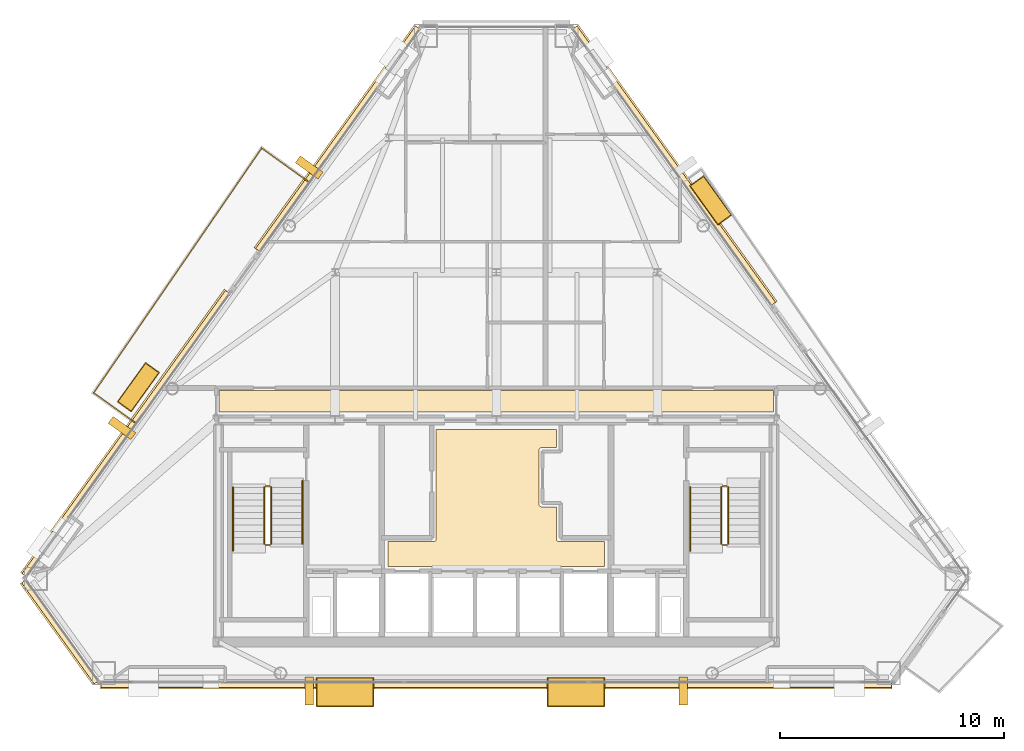
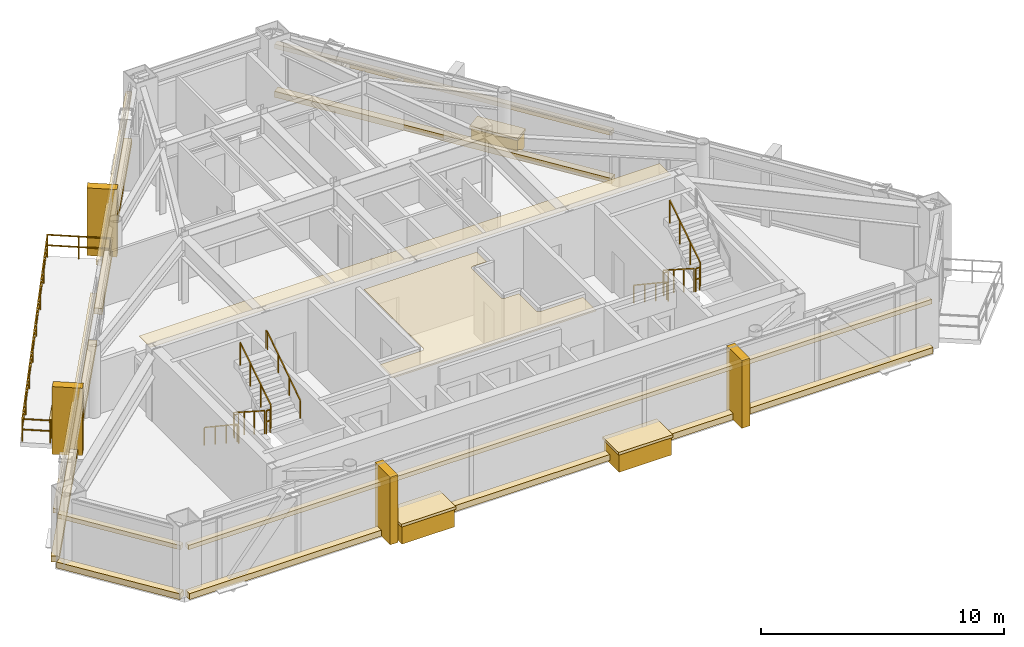
# One storey, part 10 of 11: 24 coverings, 12 railings.
"""IFC4 building model written with IfcOpenShell, lengths in metres."""

from ifc_helpers import new_model, si_unit, direction, frame, origin, origin_2d, place, context, subcontext, project, spatial, polyline, rectangle, outline, extrude, material, layer, layer_set, type_object, element, save


model = new_model("IFC4")

# Units and contexts
model_context = context("Model", 3, precision=1e-05, world=origin(), true_north=direction((0.0, 1.0)))
body_context = subcontext(model_context, "Body", "Model", "MODEL_VIEW")
ifc_project = project(units=[si_unit("LENGTHUNIT", "METRE"), si_unit("AREAUNIT", "SQUARE_METRE"), si_unit("VOLUMEUNIT", "CUBIC_METRE"), si_unit("PLANEANGLEUNIT", "RADIAN"), si_unit("MASSUNIT", "GRAM", prefix="KILO")], contexts=[model_context])

# Site, building, storey
site_placement = place(None, origin())
site = spatial("IfcSite", under=ifc_project, at=site_placement, CompositionType="ELEMENT")
building_placement = place(site_placement, origin())
building = spatial("IfcBuilding", under=site, at=building_placement, Name="Talgorran Terracotta Tower", CompositionType="ELEMENT")
storey_placement = place(building_placement, frame((0.0, 0.0, 207.300048828125)))
storey = spatial("IfcBuildingStorey", under=building, at=storey_placement, Name="L54", CompositionType="ELEMENT", Elevation=207.300048828125)

# Coverings
ifc_material_1 = material(Name="Kiln-Fired Terracotta Ochre Ceramic", Category="masonry")
ifc_layer_1 = layer(ifc_material_1, 0.179931640625, Name="COV_BAGUETTE_TERRACOTTA_SCREEN")
ifc_layer_set_1 = layer_set([ifc_layer_1], Name="Kiln-Fired Terracotta Ochre Ceramic")
covering_type_1 = type_object("IfcCoveringType", Name="COV_BAGUETTE_TERRACOTTA_SCREEN", PredefinedType="CLADDING", material=ifc_layer_set_1)
covering_1_placement = place(storey_placement, frame((-19.459716796875, -13.6416015625, 2.41015625), z_axis=(0.0, 0.0, 1.0), x_axis=(0.583555384799, -0.812073342053, 0.0)))
element("IfcCovering", 1, at=covering_1_placement, inside=storey, type_object=covering_type_1, Name="L54 Terracotta Baguette Solar Screen Assembly F0", PredefinedType="CLADDING", context=body_context, shape_type="SweptSolid", body=[
    extrude(rectangle(XDim=5.557861328125, YDim=0.260009765625, at=origin_2d()), origin(), (0.0, 0.0, 1.0), 0.219970703125),
])
covering_2_placement = place(storey_placement, frame((0.0, -15.99658203125, 2.41015625), z_axis=(0.0, 0.0, 1.0), x_axis=(1.0, 0.0, 0.0)))
element("IfcCovering", 2, at=covering_2_placement, inside=storey, type_object=covering_type_1, Name="L54 Terracotta Baguette Solar Screen Assembly F1", PredefinedType="CLADDING", context=body_context, shape_type="SweptSolid", body=[
    extrude(rectangle(XDim=35.291748046875, YDim=0.260009765625, at=origin_2d()), origin(), (0.0, 0.0, 1.0), 0.219970703125),
])
covering_3_placement = place(storey_placement, frame((7.926513671875, 7.15185546875, 2.41015625), z_axis=(0.0, 0.0, 1.0), x_axis=(-0.583555384799, 0.812073342053, 0.0)))
element("IfcCovering", 3, at=covering_3_placement, inside=storey, type_object=covering_type_1, Name="L54 Terracotta Baguette Solar Screen Assembly F41", PredefinedType="CLADDING", context=body_context, shape_type="SweptSolid", body=[
    extrude(rectangle(XDim=15.187744140625, YDim=0.260009765625, at=origin_2d()), origin(), (0.0, 0.0, 1.0), 0.219970703125),
])
covering_4_placement = place(storey_placement, frame((-7.0654296875, 8.350341796875, 2.41015625), z_axis=(0.0, 0.0, 1.0), x_axis=(-0.583555384799, -0.812073342053, 0.0)))
element("IfcCovering", 4, at=covering_4_placement, inside=storey, type_object=covering_type_1, Name="L54 Terracotta Baguette Solar Screen Assembly F60", PredefinedType="CLADDING", context=body_context, shape_type="SweptSolid", body=[
    extrude(rectangle(XDim=12.236083984375, YDim=0.260009765625, at=origin_2d()), origin(), (0.0, 0.0, 1.0), 0.219970703125),
])
covering_5_placement = place(storey_placement, frame((-16.517822265625, -4.8037109375, 2.41015625), z_axis=(0.0, 0.0, 1.0), x_axis=(-0.583555384799, -0.812073342053, 0.0)))
element("IfcCovering", 5, at=covering_5_placement, inside=storey, type_object=covering_type_1, Name="L54 Terracotta Baguette Solar Screen Assembly F61", PredefinedType="CLADDING", context=body_context, shape_type="SweptSolid", body=[
    extrude(rectangle(XDim=15.560302734375, YDim=0.260009765625, at=origin_2d()), origin(), (0.0, 0.0, 1.0), 0.219970703125),
])
ifc_material_2 = material(Name="Mineral Fibre Acoustic Tile")
ifc_layer_2 = layer(ifc_material_2, 0.02490234375, Name="COV_CEIL_ACOUSTIC")
ifc_layer_set_2 = layer_set([ifc_layer_2], Name="Mineral Fibre Acoustic Tile")
covering_type_2 = type_object("IfcCoveringType", Name="COV_CEIL_ACOUSTIC", PredefinedType="CEILING", material=ifc_layer_set_2)
covering_6_placement = place(storey_placement, frame((0.0, 0.0, 3.2548828125)))
element("IfcCovering", 6, at=covering_6_placement, inside=storey, type_object=covering_type_2, Name="CEIL-L54-2", PredefinedType="CEILING", context=body_context, shape_type="SweptSolid", body=[
    extrude(outline(polyline([(-12.364990234375, -2.885009765625), (12.364990234375, -2.885009765625), (12.364990234375, -3.830078125), (12.169921875, -3.830078125), (12.158203125, -3.83056640625), (12.146484375, -3.832275390625), (12.13525390625, -3.835205078125), (12.1240234375, -3.839111328125), (12.11328125, -3.84423828125), (12.112060546875, -3.844970703125), (7.432861328125, -3.844970703125), (6.968017578125, -3.843017578125), (6.967529296875, -3.843017578125), (0.232666015625, -3.844970703125), (-0.23193359375, -3.843017578125), (-0.232421875, -3.843017578125), (-6.96728515625, -3.844970703125), (-7.431884765625, -3.843017578125), (-7.4326171875, -3.843017578125), (-12.112060546875, -3.844970703125), (-12.11328125, -3.84423828125), (-12.1240234375, -3.839111328125), (-12.13525390625, -3.835205078125), (-12.146484375, -3.832275390625), (-12.158203125, -3.83056640625), (-12.169921875, -3.830078125), (-12.364990234375, -3.830078125), (-12.364990234375, -2.885009765625)])), origin(), (0.0, 0.0, 1.0), 0.02001953125),
])
ifc_material_3 = material(Name="Flush Moisture-Resistant Plaster")
ifc_layer_3 = layer(ifc_material_3, 0.01806640625, Name="COV_CEIL_PLASTER")
ifc_layer_set_3 = layer_set([ifc_layer_3], Name="Flush Moisture-Resistant Plaster")
covering_type_3 = type_object("IfcCoveringType", Name="COV_CEIL_PLASTER", PredefinedType="CEILING", material=ifc_layer_set_3)
covering_7_placement = place(storey_placement, frame((0.0, 0.0, 3.2548828125)))
element("IfcCovering", 7, at=covering_7_placement, inside=storey, type_object=covering_type_3, Name="CEIL-L54-1", PredefinedType="CEILING", context=body_context, shape_type="SweptSolid", body=[
    extrude(outline(polyline([(4.830078125, -9.6201171875), (4.830078125, -10.72998046875), (-4.830078125, -10.72998046875), (-4.830078125, -9.6201171875), (-2.800048828125, -9.6201171875), (-2.7880859375, -9.619384765625), (-2.776611328125, -9.61767578125), (-2.76513671875, -9.61474609375), (-2.754150390625, -9.61083984375), (-2.743408203125, -9.605712890625), (-2.7333984375, -9.599853515625), (-2.723876953125, -9.5927734375), (-2.715087890625, -9.5849609375), (-2.707275390625, -9.576171875), (-2.7001953125, -9.566650390625), (-2.694091796875, -9.556640625), (-2.689208984375, -9.5458984375), (-2.685302734375, -9.534912109375), (-2.682373046875, -9.5234375), (-2.6806640625, -9.51171875), (-2.679931640625, -9.5), (-2.679931640625, -4.6201171875), (2.679931640625, -4.6201171875), (2.679931640625, -5.429931640625), (2.02001953125, -5.429931640625), (2.00830078125, -5.4306640625), (1.99658203125, -5.432373046875), (1.985107421875, -5.435302734375), (1.97412109375, -5.439208984375), (1.96337890625, -5.444091796875), (1.953369140625, -5.4501953125), (1.94384765625, -5.457275390625), (1.93505859375, -5.465087890625), (1.92724609375, -5.473876953125), (1.920166015625, -5.4833984375), (1.914306640625, -5.493408203125), (1.9091796875, -5.504150390625), (1.9052734375, -5.51513671875), (1.90234375, -5.526611328125), (1.900634765625, -5.5380859375), (1.89990234375, -5.550048828125), (1.89990234375, -7.949951171875), (1.900634765625, -7.9619140625), (1.90234375, -7.973388671875), (1.9052734375, -7.98486328125), (1.9091796875, -7.995849609375), (1.914306640625, -8.006591796875), (1.920166015625, -8.0166015625), (1.92724609375, -8.026123046875), (1.93505859375, -8.034912109375), (1.94384765625, -8.042724609375), (1.953369140625, -8.0498046875), (1.96337890625, -8.055908203125), (1.97412109375, -8.060791015625), (1.985107421875, -8.064697265625), (1.99658203125, -8.067626953125), (2.00830078125, -8.0693359375), (2.02001953125, -8.070068359375), (2.679931640625, -8.070068359375), (2.679931640625, -9.5), (2.6806640625, -9.51171875), (2.682373046875, -9.5234375), (2.685302734375, -9.534912109375), (2.689208984375, -9.5458984375), (2.694091796875, -9.556640625), (2.7001953125, -9.566650390625), (2.707275390625, -9.576171875), (2.715087890625, -9.5849609375), (2.723876953125, -9.5927734375), (2.7333984375, -9.599853515625), (2.743408203125, -9.605712890625), (2.754150390625, -9.61083984375), (2.76513671875, -9.61474609375), (2.776611328125, -9.61767578125), (2.7880859375, -9.619384765625), (2.800048828125, -9.6201171875), (4.830078125, -9.6201171875)])), origin(), (0.0, 0.0, 1.0), 0.02001953125),
])
ifc_material_4 = material(Name="Honed Limestone and Terracotta Planter", Category="masonry")
ifc_layer_4 = layer(ifc_material_4, 0.1201171875, Name="COV_PLANTER_BOX")
ifc_layer_set_4 = layer_set([ifc_layer_4], Name="Honed Limestone and Terracotta Planter")
covering_type_4 = type_object("IfcCoveringType", Name="COV_PLANTER_BOX", PredefinedType="CLADDING", material=ifc_layer_set_4)
for number, where, z_axis, x_axis, name in (
    (8, (3.555419921875, -16.336669921875, -0.179931640625), (0.0, 0.0, 1.0), (1.0, 0.0, 0.0), "L54 Staggered South Facade Planter Box 1"),
    (9, (-6.75537109375, -16.336669921875, -0.179931640625), (0.0, 0.0, 1.0), (1.0, 0.0, 0.0), "L54 Staggered South Facade Planter Box 2"),
):
    element("IfcCovering", number, at=place(storey_placement, frame(where, z_axis=z_axis, x_axis=x_axis)), inside=storey, type_object=covering_type_4, Name=name, PredefinedType="CLADDING", context=body_context, shape_type="SweptSolid", body=[
        extrude(rectangle(XDim=2.5, YDim=1.25, at=origin_2d()), origin(), (0.0, 0.0, 1.0), 0.919921875),
    ])
for number, where, z_axis, x_axis, name in (
    (10, (9.572021484375, 5.607421875, -0.02001953125), (0.0, 0.0, 1.0), (-0.583555384799, 0.812073342053, 0.0), "L54 Staggered Balcony Planter Box BAL-NE"),
    (11, (-15.973876953125, -2.7275390625, -0.02001953125), (0.0, 0.0, 1.0), (-0.583555384799, -0.812073342053, 0.0), "L54 Staggered Balcony Planter Box BAL-NW"),
):
    element("IfcCovering", number, at=place(storey_placement, frame(where, z_axis=z_axis, x_axis=x_axis)), inside=storey, type_object=covering_type_4, Name=name, PredefinedType="CLADDING", context=body_context, shape_type="SweptSolid", body=[
        extrude(rectangle(XDim=2.10009765625, YDim=0.719970703125, at=origin_2d()), origin(), (0.0, 0.0, 1.0), 0.860107421875),
    ])
ifc_material_5 = material(Name="Kiln-Fired Terracotta Planter Rim", Category="masonry")
ifc_layer_5 = layer(ifc_material_5, 0.10009765625, Name="COV_PLANTER_RIM")
ifc_layer_set_5 = layer_set([ifc_layer_5], Name="Kiln-Fired Terracotta Planter Rim")
covering_type_5 = type_object("IfcCoveringType", Name="COV_PLANTER_RIM", PredefinedType="CLADDING", material=ifc_layer_set_5)
for number, where, z_axis, x_axis, name in (
    (12, (3.555419921875, -16.336669921875, 0.7099609375), (0.0, 0.0, 1.0), (1.0, 0.0, 0.0), "L54 South Planter Terracotta Rim 1"),
    (13, (-6.75537109375, -16.336669921875, 0.7099609375), (0.0, 0.0, 1.0), (1.0, 0.0, 0.0), "L54 South Planter Terracotta Rim 2"),
):
    element("IfcCovering", number, at=place(storey_placement, frame(where, z_axis=z_axis, x_axis=x_axis)), inside=storey, type_object=covering_type_5, Name=name, PredefinedType="CLADDING", context=body_context, shape_type="SweptSolid", body=[
        extrude(rectangle(XDim=2.580078125, YDim=1.320068359375, at=origin_2d()), origin(), (0.0, 0.0, 1.0), 0.139892578125),
    ])
for number, where, z_axis, x_axis, name in (
    (14, (9.572021484375, 5.607421875, 0.7998046875), (0.0, 0.0, 1.0), (-0.583555384799, 0.812073342053, 0.0), "L54 Balcony Planter Terracotta Rim BAL-NE"),
    (15, (-15.973876953125, -2.7275390625, 0.7998046875), (0.0, 0.0, 1.0), (-0.583555384799, -0.812073342053, 0.0), "L54 Balcony Planter Terracotta Rim BAL-NW"),
):
    element("IfcCovering", number, at=place(storey_placement, frame(where, z_axis=z_axis, x_axis=x_axis)), inside=storey, type_object=covering_type_5, Name=name, PredefinedType="CLADDING", context=body_context, shape_type="SweptSolid", body=[
        extrude(rectangle(XDim=2.179931640625, YDim=0.780029296875, at=origin_2d()), origin(), (0.0, 0.0, 1.0), 0.1201171875),
    ])
ifc_material_6 = material(Name="Honed Limestone Cladding", Category="masonry")
ifc_layer_6 = layer(ifc_material_6, 0.094970703125, Name="COV_PORTAL_LIME")
ifc_layer_set_6 = layer_set([ifc_layer_6], Name="Honed Limestone Cladding")
covering_type_6 = type_object("IfcCoveringType", Name="COV_PORTAL_LIME", PredefinedType="CLADDING", material=ifc_layer_set_6)
covering_8_placement = place(storey_placement, frame((-19.4921875, -13.664794921875, -0.0400390625), z_axis=(0.0, 0.0, 1.0), x_axis=(0.583555384799, -0.812073342053, 0.0)))
element("IfcCovering", 16, at=covering_8_placement, inside=storey, type_object=covering_type_6, Name="L54 Striped Postmodern Portal Cladding Band F0", PredefinedType="CLADDING", context=body_context, shape_type="SweptSolid", body=[
    extrude(rectangle(XDim=5.577880859375, YDim=0.340087890625, at=origin_2d()), origin(), (0.0, 0.0, 1.0), 0.300048828125),
])
covering_9_placement = place(storey_placement, frame((0.0, -16.03662109375, -0.0400390625), z_axis=(0.0, 0.0, 1.0), x_axis=(1.0, 0.0, 0.0)))
element("IfcCovering", 17, at=covering_9_placement, inside=storey, type_object=covering_type_6, Name="L54 Striped Postmodern Portal Cladding Band F1", PredefinedType="CLADDING", context=body_context, shape_type="SweptSolid", body=[
    extrude(rectangle(XDim=35.311767578125, YDim=0.340087890625, at=origin_2d()), origin(), (0.0, 0.0, 1.0), 0.300048828125),
])
covering_10_placement = place(storey_placement, frame((7.958984375, 7.175048828125, -0.0400390625), z_axis=(0.0, 0.0, 1.0), x_axis=(-0.583555384799, 0.812073342053, 0.0)))
element("IfcCovering", 18, at=covering_10_placement, inside=storey, type_object=covering_type_6, Name="L54 Striped Postmodern Portal Cladding Band F41", PredefinedType="CLADDING", context=body_context, shape_type="SweptSolid", body=[
    extrude(rectangle(XDim=15.207763671875, YDim=0.340087890625, at=origin_2d()), origin(), (0.0, 0.0, 1.0), 0.300048828125),
])
covering_11_placement = place(storey_placement, frame((-7.097900390625, 8.373779296875, -0.0400390625), z_axis=(0.0, 0.0, 1.0), x_axis=(-0.583555384799, -0.812073342053, 0.0)))
element("IfcCovering", 19, at=covering_11_placement, inside=storey, type_object=covering_type_6, Name="L54 Striped Postmodern Portal Cladding Band F60", PredefinedType="CLADDING", context=body_context, shape_type="SweptSolid", body=[
    extrude(rectangle(XDim=12.256103515625, YDim=0.340087890625, at=origin_2d()), origin(), (0.0, 0.0, 1.0), 0.300048828125),
])
covering_12_placement = place(storey_placement, frame((-16.55029296875, -4.780517578125, -0.0400390625), z_axis=(0.0, 0.0, 1.0), x_axis=(-0.583555384799, -0.812073342053, 0.0)))
element("IfcCovering", 20, at=covering_12_placement, inside=storey, type_object=covering_type_6, Name="L54 Striped Postmodern Portal Cladding Band F61", PredefinedType="CLADDING", context=body_context, shape_type="SweptSolid", body=[
    extrude(rectangle(XDim=15.580322265625, YDim=0.340087890625, at=origin_2d()), origin(), (0.0, 0.0, 1.0), 0.300048828125),
])
for number, where, z_axis, x_axis, name in (
    (21, (8.35546875, -16.296630859375, -0.050048828125), (0.0, 0.0, 1.0), (1.0, 0.0, 0.0), "L54 White Striped Portal Fin F1-2"),
    (22, (-16.705078125, -4.55029296875, -0.050048828125), (0.0, 0.0, 1.0), (-0.583555384799, -0.812073342053, 0.0), "L54 White Striped Portal Fin F5-2"),
):
    element("IfcCovering", number, at=place(storey_placement, frame(where, z_axis=z_axis, x_axis=x_axis)), inside=storey, type_object=covering_type_6, Name=name, PredefinedType="CLADDING", context=body_context, shape_type="SweptSolid", body=[
        extrude(rectangle(XDim=0.3798828125, YDim=1.25, at=origin_2d()), origin(), (0.0, 0.0, 1.0), 3.39501953125),
    ])
ifc_material_7 = material(Name="Kiln-Fired Terracotta Cladding", Category="masonry")
ifc_layer_7 = layer(ifc_material_7, 0.090087890625, Name="COV_PORTAL_TERRA")
ifc_layer_set_7 = layer_set([ifc_layer_7], Name="Kiln-Fired Terracotta Cladding")
covering_type_7 = type_object("IfcCoveringType", Name="COV_PORTAL_TERRA", PredefinedType="CLADDING", material=ifc_layer_set_7)
for number, where, z_axis, x_axis, name in (
    (23, (-8.35546875, -16.296630859375, -0.050048828125), (0.0, 0.0, 1.0), (1.0, 0.0, 0.0), "L54 Terracotta Striped Portal Fin F1-1"),
    (24, (-8.349609375, 7.0771484375, -0.050048828125), (0.0, 0.0, 1.0), (-0.583555384799, -0.812073342053, 0.0), "L54 Terracotta Striped Portal Fin F5-1"),
):
    element("IfcCovering", number, at=place(storey_placement, frame(where, z_axis=z_axis, x_axis=x_axis)), inside=storey, type_object=covering_type_7, Name=name, PredefinedType="CLADDING", context=body_context, shape_type="SweptSolid", body=[
        extrude(rectangle(XDim=0.3798828125, YDim=1.25, at=origin_2d()), origin(), (0.0, 0.0, 1.0), 3.39501953125),
    ])

# Railings
ifc_material_8 = material(Name="Laminated Glass and Stainless Steel 316", Category="steel")
railing_type_1 = type_object("IfcRailingType", Name="RL_BALCONY_1150", PredefinedType="BALUSTRADE", material=ifc_material_8)
railing_1_placement = place(storey_placement, frame((-8.3544921875, 6.419189453125, 0.0)))
element("IfcRailing", 25, at=railing_1_placement, inside=storey, type_object=railing_type_1, Name="RL-L54-BAL-BAL-NW", PredefinedType="BALUSTRADE", context=body_context, shape_type="SweptSolid", body=[
    extrude(rectangle(XDim=0.048095703125, YDim=0.048095703125, at=origin_2d()), frame((0.0, 0.0, 1.1259765625), z_axis=(-0.812045901226, 0.583593569448, 0.0), x_axis=(-0.583593569448, -0.812045901226, 0.0)), (0.0, 0.0, 1.0), 2.60546875),
    extrude(rectangle(XDim=0.048095703125, YDim=0.048095703125, at=origin_2d()), frame((0.0, 0.0, 0.597900390625), z_axis=(-0.812045901226, 0.583593569448, 0.0), x_axis=(-0.583593569448, -0.812045901226, 0.0)), (0.0, 0.0, 1.0), 2.60546875),
    extrude(rectangle(XDim=0.048095703125, YDim=0.048095703125, at=origin_2d()), frame((-2.11572265625, 1.5205078125, 1.1259765625), z_axis=(-0.56606725907, -0.824359059033, 0.0), x_axis=(0.824359059033, -0.56606725907, 0.0)), (0.0, 0.0, 1.0), 13.2470703125),
    extrude(rectangle(XDim=0.048095703125, YDim=0.048095703125, at=origin_2d()), frame((-2.11572265625, 1.5205078125, 0.597900390625), z_axis=(-0.56606725907, -0.824359059033, 0.0), x_axis=(0.824359059033, -0.56606725907, 0.0)), (0.0, 0.0, 1.0), 13.2470703125),
    extrude(rectangle(XDim=0.048095703125, YDim=0.048095703125, at=origin_2d()), frame((-9.614501953125, -9.39990234375, 1.1259765625), z_axis=(0.812082312273, -0.583542901673, 0.0), x_axis=(0.583542901673, 0.812082312273, 0.0)), (0.0, 0.0, 1.0), 2.322509765625),
    extrude(rectangle(XDim=0.048095703125, YDim=0.048095703125, at=origin_2d()), frame((-9.614501953125, -9.39990234375, 0.597900390625), z_axis=(0.812082312273, -0.583542901673, 0.0), x_axis=(0.583542901673, 0.812082312273, 0.0)), (0.0, 0.0, 1.0), 2.322509765625),
    extrude(rectangle(XDim=0.0419921875, YDim=0.0419921875, at=origin_2d()), origin(), (0.0, 0.0, 1.0), 1.101806640625),
    extrude(rectangle(XDim=0.0419921875, YDim=0.0419921875, at=origin_2d()), frame((-1.057861328125, 0.76025390625, 0.0)), (0.0, 0.0, 1.0), 1.101806640625),
    extrude(rectangle(XDim=0.0419921875, YDim=0.0419921875, at=origin_2d()), frame((-2.11572265625, 1.5205078125, 0.0)), (0.0, 0.0, 1.0), 1.101806640625),
    extrude(rectangle(XDim=0.0419921875, YDim=0.0419921875, at=origin_2d()), frame((-3.18701171875, -0.03955078125, 0.0)), (0.0, 0.0, 1.0), 1.101806640625),
    extrude(rectangle(XDim=0.0419921875, YDim=0.0419921875, at=origin_2d()), frame((-4.25830078125, -1.599609375, 0.0)), (0.0, 0.0, 1.0), 1.101806640625),
    extrude(rectangle(XDim=0.0419921875, YDim=0.0419921875, at=origin_2d()), frame((-5.32958984375, -3.15966796875, 0.0)), (0.0, 0.0, 1.0), 1.101806640625),
    extrude(rectangle(XDim=0.0419921875, YDim=0.0419921875, at=origin_2d()), frame((-6.400634765625, -4.7197265625, 0.0)), (0.0, 0.0, 1.0), 1.101806640625),
    extrude(rectangle(XDim=0.0419921875, YDim=0.0419921875, at=origin_2d()), frame((-7.471923828125, -6.27978515625, 0.0)), (0.0, 0.0, 1.0), 1.101806640625),
    extrude(rectangle(XDim=0.0419921875, YDim=0.0419921875, at=origin_2d()), frame((-8.543212890625, -7.83984375, 0.0)), (0.0, 0.0, 1.0), 1.101806640625),
    extrude(rectangle(XDim=0.0419921875, YDim=0.0419921875, at=origin_2d()), frame((-9.614501953125, -9.39990234375, 0.0)), (0.0, 0.0, 1.0), 1.101806640625),
    extrude(rectangle(XDim=0.0419921875, YDim=0.0419921875, at=origin_2d()), frame((-8.67138671875, -10.07763671875, 0.0)), (0.0, 0.0, 1.0), 1.101806640625),
    extrude(rectangle(XDim=0.0419921875, YDim=0.0419921875, at=origin_2d()), frame((-7.728515625, -10.755126953125, 0.0)), (0.0, 0.0, 1.0), 1.101806640625),
])
ifc_material_9 = material(Name="Steel S355 (300PLUS)", Category="steel")
railing_type_2 = type_object("IfcRailingType", Name="RL_HANDRAIL_920", PredefinedType="HANDRAIL", material=ifc_material_9)
railing_2_placement = place(storey_placement, frame((-11.75, -7.199951171875, 0.179931640625)))
element("IfcRailing", 26, at=railing_2_placement, inside=storey, type_object=railing_type_2, Name="L54 ST-01 stair handrail 1", PredefinedType="HANDRAIL", context=body_context, shape_type="SweptSolid", body=[
    extrude(rectangle(XDim=0.048095703125, YDim=0.048095703125, at=origin_2d()), frame((0.0, 0.0, 0.89599609375), z_axis=(0.0, -0.832038719335, 0.554717558338), x_axis=(1.0, 0.0, 0.0)), (0.0, 0.0, 1.0), 3.244873046875),
    extrude(rectangle(XDim=0.048095703125, YDim=0.048095703125, at=origin_2d()), frame((0.0, -2.699951171875, 2.69580078125), z_axis=(0.0, -1.0, 0.0), x_axis=(1.0, 0.0, 0.0)), (0.0, 0.0, 1.0), 0.1201171875),
    extrude(rectangle(XDim=0.0419921875, YDim=0.0419921875, at=origin_2d()), origin(), (0.0, 0.0, 1.0), 0.871826171875),
    extrude(rectangle(XDim=0.0419921875, YDim=0.0419921875, at=origin_2d()), frame((0.0, -0.89990234375, 0.60009765625)), (0.0, 0.0, 1.0), 0.871826171875),
    extrude(rectangle(XDim=0.0419921875, YDim=0.0419921875, at=origin_2d()), frame((0.0, -1.800048828125, 1.199951171875)), (0.0, 0.0, 1.0), 0.871826171875),
    extrude(rectangle(XDim=0.0419921875, YDim=0.0419921875, at=origin_2d()), frame((0.0, -2.699951171875, 1.800048828125)), (0.0, 0.0, 1.0), 0.871826171875),
    extrude(rectangle(XDim=0.0419921875, YDim=0.0419921875, at=origin_2d()), frame((0.0, -2.820068359375, 1.800048828125)), (0.0, 0.0, 1.0), 0.871826171875),
])
railing_3_placement = place(storey_placement, frame((-8.64990234375, -9.719970703125, 1.97998046875)))
element("IfcRailing", 27, at=railing_3_placement, inside=storey, type_object=railing_type_2, Name="L54 ST-01 stair handrail 2", PredefinedType="HANDRAIL", context=body_context, shape_type="SweptSolid", body=[
    extrude(rectangle(XDim=0.048095703125, YDim=0.048095703125, at=origin_2d()), frame((0.0, 0.0, 0.89599609375), z_axis=(0.0, 0.832038719335, 0.554717558338), x_axis=(-1.0, 0.0, 0.0)), (0.0, 0.0, 1.0), 3.244873046875),
    extrude(rectangle(XDim=0.048095703125, YDim=0.048095703125, at=origin_2d()), frame((0.0, 2.699951171875, 2.69580078125), z_axis=(0.0, 1.0, 0.0), x_axis=(-1.0, 0.0, 0.0)), (0.0, 0.0, 1.0), 0.1201171875),
    extrude(rectangle(XDim=0.0419921875, YDim=0.0419921875, at=origin_2d()), origin(), (0.0, 0.0, 1.0), 0.871826171875),
    extrude(rectangle(XDim=0.0419921875, YDim=0.0419921875, at=origin_2d()), frame((0.0, 0.89990234375, 0.60009765625)), (0.0, 0.0, 1.0), 0.871826171875),
    extrude(rectangle(XDim=0.0419921875, YDim=0.0419921875, at=origin_2d()), frame((0.0, 1.800048828125, 1.199951171875)), (0.0, 0.0, 1.0), 0.871826171875),
    extrude(rectangle(XDim=0.0419921875, YDim=0.0419921875, at=origin_2d()), frame((0.0, 2.699951171875, 1.800048828125)), (0.0, 0.0, 1.0), 0.871826171875),
    extrude(rectangle(XDim=0.0419921875, YDim=0.0419921875, at=origin_2d()), frame((0.0, 2.820068359375, 1.800048828125)), (0.0, 0.0, 1.0), 0.871826171875),
])
railing_4_placement = place(storey_placement, frame((8.64990234375, -7.199951171875, 0.179931640625)))
element("IfcRailing", 28, at=railing_4_placement, inside=storey, type_object=railing_type_2, Name="L54 ST-02 stair handrail 1", PredefinedType="HANDRAIL", context=body_context, shape_type="SweptSolid", body=[
    extrude(rectangle(XDim=0.048095703125, YDim=0.048095703125, at=origin_2d()), frame((0.0, 0.0, 0.89599609375), z_axis=(0.0, -0.832038719335, 0.554717558338), x_axis=(1.0, 0.0, 0.0)), (0.0, 0.0, 1.0), 3.244873046875),
    extrude(rectangle(XDim=0.048095703125, YDim=0.048095703125, at=origin_2d()), frame((0.0, -2.699951171875, 2.69580078125), z_axis=(0.0, -1.0, 0.0), x_axis=(1.0, 0.0, 0.0)), (0.0, 0.0, 1.0), 0.1201171875),
    extrude(rectangle(XDim=0.0419921875, YDim=0.0419921875, at=origin_2d()), origin(), (0.0, 0.0, 1.0), 0.871826171875),
    extrude(rectangle(XDim=0.0419921875, YDim=0.0419921875, at=origin_2d()), frame((0.0, -0.89990234375, 0.60009765625)), (0.0, 0.0, 1.0), 0.871826171875),
    extrude(rectangle(XDim=0.0419921875, YDim=0.0419921875, at=origin_2d()), frame((0.0, -1.800048828125, 1.199951171875)), (0.0, 0.0, 1.0), 0.871826171875),
    extrude(rectangle(XDim=0.0419921875, YDim=0.0419921875, at=origin_2d()), frame((0.0, -2.699951171875, 1.800048828125)), (0.0, 0.0, 1.0), 0.871826171875),
    extrude(rectangle(XDim=0.0419921875, YDim=0.0419921875, at=origin_2d()), frame((0.0, -2.820068359375, 1.800048828125)), (0.0, 0.0, 1.0), 0.871826171875),
])
railing_type_3 = type_object("IfcRailingType", Name="RL_STAIR_GUARD", PredefinedType="GUARDRAIL", material=ifc_material_9)
railing_5_placement = place(storey_placement, frame((-10.35009765625, -7.199951171875, 0.179931640625)))
element("IfcRailing", 29, at=railing_5_placement, inside=storey, type_object=railing_type_3, Name="L54 ST-01 stair guard 1", PredefinedType="GUARDRAIL", context=body_context, shape_type="SweptSolid", body=[
    extrude(rectangle(XDim=0.048095703125, YDim=0.048095703125, at=origin_2d()), frame((0.0, 0.0, 1.15576171875), z_axis=(0.0, -0.841162588446, 0.540782303519), x_axis=(1.0, 0.0, 0.0)), (0.0, 0.0, 1.0), 2.995849609375),
    extrude(rectangle(XDim=0.0419921875, YDim=0.0419921875, at=origin_2d()), origin(), (0.0, 0.0, 1.0), 1.1318359375),
    extrude(rectangle(XDim=0.0419921875, YDim=0.0419921875, at=origin_2d()), frame((0.0, -0.840087890625, 0.5400390625)), (0.0, 0.0, 1.0), 1.1318359375),
    extrude(rectangle(XDim=0.0419921875, YDim=0.0419921875, at=origin_2d()), frame((0.0, -1.679931640625, 1.080078125)), (0.0, 0.0, 1.0), 1.1318359375),
    extrude(rectangle(XDim=0.0419921875, YDim=0.0419921875, at=origin_2d()), frame((0.0, -2.52001953125, 1.6201171875)), (0.0, 0.0, 1.0), 1.1318359375),
])
railing_6_placement = place(storey_placement, frame((-10.300048828125, -9.77001953125, 1.800048828125)))
element("IfcRailing", 30, at=railing_6_placement, inside=storey, type_object=railing_type_3, Name="L54 ST-01 stair guard 2", PredefinedType="GUARDRAIL", context=body_context, shape_type="SweptSolid", body=[
    extrude(rectangle(XDim=0.048095703125, YDim=0.048095703125, at=origin_2d()), frame((0.0, 0.0, 1.15576171875), z_axis=(1.0, 0.0, 0.0), x_axis=(0.0, 1.0, 0.0)), (0.0, 0.0, 1.0), 0.199951171875),
    extrude(rectangle(XDim=0.048095703125, YDim=0.048095703125, at=origin_2d()), frame((0.0, 0.0, 0.613525390625), z_axis=(1.0, 0.0, 0.0), x_axis=(0.0, 1.0, 0.0)), (0.0, 0.0, 1.0), 0.199951171875),
    extrude(rectangle(XDim=0.0419921875, YDim=0.0419921875, at=origin_2d()), origin(), (0.0, 0.0, 1.0), 1.1318359375),
    extrude(rectangle(XDim=0.0419921875, YDim=0.0419921875, at=origin_2d()), frame((0.199951171875, 0.0, 0.0)), (0.0, 0.0, 1.0), 1.1318359375),
])
railing_7_placement = place(storey_placement, frame((-10.050048828125, -9.719970703125, 1.97998046875)))
element("IfcRailing", 31, at=railing_7_placement, inside=storey, type_object=railing_type_3, Name="L54 ST-01 stair guard 3", PredefinedType="GUARDRAIL", context=body_context, shape_type="SweptSolid", body=[
    extrude(rectangle(XDim=0.048095703125, YDim=0.048095703125, at=origin_2d()), frame((0.0, 0.0, 1.15576171875), z_axis=(0.0, 0.841199657755, 0.540724639528), x_axis=(-1.0, 0.0, 0.0)), (0.0, 0.0, 1.0), 2.995849609375),
    extrude(rectangle(XDim=0.0419921875, YDim=0.0419921875, at=origin_2d()), origin(), (0.0, 0.0, 1.0), 1.1318359375),
    extrude(rectangle(XDim=0.0419921875, YDim=0.0419921875, at=origin_2d()), frame((0.0, 0.840087890625, 0.5400390625)), (0.0, 0.0, 1.0), 1.1318359375),
    extrude(rectangle(XDim=0.0419921875, YDim=0.0419921875, at=origin_2d()), frame((0.0, 1.679931640625, 1.079833984375)), (0.0, 0.0, 1.0), 1.1318359375),
    extrude(rectangle(XDim=0.0419921875, YDim=0.0419921875, at=origin_2d()), frame((0.0, 2.52001953125, 1.619873046875)), (0.0, 0.0, 1.0), 1.1318359375),
])
railing_8_placement = place(storey_placement, frame((-10.300048828125, -7.14990234375, 0.0)))
element("IfcRailing", 32, at=railing_8_placement, inside=storey, type_object=railing_type_3, Name="L54 ST-01 stair guard 4", PredefinedType="GUARDRAIL", context=body_context, shape_type="SweptSolid", body=[
    extrude(rectangle(XDim=0.048095703125, YDim=0.048095703125, at=origin_2d()), frame((0.0, 0.0, 1.15576171875), z_axis=(1.0, 0.0, 0.0), x_axis=(0.0, 1.0, 0.0)), (0.0, 0.0, 1.0), 0.199951171875),
    extrude(rectangle(XDim=0.048095703125, YDim=0.048095703125, at=origin_2d()), frame((0.0, 0.0, 0.613525390625), z_axis=(1.0, 0.0, 0.0), x_axis=(0.0, 1.0, 0.0)), (0.0, 0.0, 1.0), 0.199951171875),
    extrude(rectangle(XDim=0.0419921875, YDim=0.0419921875, at=origin_2d()), origin(), (0.0, 0.0, 1.0), 1.1318359375),
    extrude(rectangle(XDim=0.0419921875, YDim=0.0419921875, at=origin_2d()), frame((0.199951171875, 0.0, 0.0)), (0.0, 0.0, 1.0), 1.1318359375),
])
railing_9_placement = place(storey_placement, frame((10.050048828125, -7.199951171875, 0.179931640625)))
element("IfcRailing", 33, at=railing_9_placement, inside=storey, type_object=railing_type_3, Name="L54 ST-02 stair guard 1", PredefinedType="GUARDRAIL", context=body_context, shape_type="SweptSolid", body=[
    extrude(rectangle(XDim=0.048095703125, YDim=0.048095703125, at=origin_2d()), frame((0.0, 0.0, 1.15576171875), z_axis=(0.0, -0.841162588446, 0.540782303519), x_axis=(1.0, 0.0, 0.0)), (0.0, 0.0, 1.0), 2.995849609375),
    extrude(rectangle(XDim=0.0419921875, YDim=0.0419921875, at=origin_2d()), origin(), (0.0, 0.0, 1.0), 1.1318359375),
    extrude(rectangle(XDim=0.0419921875, YDim=0.0419921875, at=origin_2d()), frame((0.0, -0.840087890625, 0.5400390625)), (0.0, 0.0, 1.0), 1.1318359375),
    extrude(rectangle(XDim=0.0419921875, YDim=0.0419921875, at=origin_2d()), frame((0.0, -1.679931640625, 1.080078125)), (0.0, 0.0, 1.0), 1.1318359375),
    extrude(rectangle(XDim=0.0419921875, YDim=0.0419921875, at=origin_2d()), frame((0.0, -2.52001953125, 1.6201171875)), (0.0, 0.0, 1.0), 1.1318359375),
])
railing_10_placement = place(storey_placement, frame((10.10009765625, -9.77001953125, 1.800048828125)))
element("IfcRailing", 34, at=railing_10_placement, inside=storey, type_object=railing_type_3, Name="L54 ST-02 stair guard 2", PredefinedType="GUARDRAIL", context=body_context, shape_type="SweptSolid", body=[
    extrude(rectangle(XDim=0.048095703125, YDim=0.048095703125, at=origin_2d()), frame((0.0, 0.0, 1.15576171875), z_axis=(1.0, 0.0, 0.0), x_axis=(0.0, 1.0, 0.0)), (0.0, 0.0, 1.0), 0.199951171875),
    extrude(rectangle(XDim=0.048095703125, YDim=0.048095703125, at=origin_2d()), frame((0.0, 0.0, 0.613525390625), z_axis=(1.0, 0.0, 0.0), x_axis=(0.0, 1.0, 0.0)), (0.0, 0.0, 1.0), 0.199951171875),
    extrude(rectangle(XDim=0.0419921875, YDim=0.0419921875, at=origin_2d()), origin(), (0.0, 0.0, 1.0), 1.1318359375),
    extrude(rectangle(XDim=0.0419921875, YDim=0.0419921875, at=origin_2d()), frame((0.199951171875, 0.0, 0.0)), (0.0, 0.0, 1.0), 1.1318359375),
])
railing_11_placement = place(storey_placement, frame((10.35009765625, -9.719970703125, 1.97998046875)))
element("IfcRailing", 35, at=railing_11_placement, inside=storey, type_object=railing_type_3, Name="L54 ST-02 stair guard 3", PredefinedType="GUARDRAIL", context=body_context, shape_type="SweptSolid", body=[
    extrude(rectangle(XDim=0.048095703125, YDim=0.048095703125, at=origin_2d()), frame((0.0, 0.0, 1.15576171875), z_axis=(0.0, 0.841199657755, 0.540724639528), x_axis=(-1.0, 0.0, 0.0)), (0.0, 0.0, 1.0), 2.995849609375),
    extrude(rectangle(XDim=0.0419921875, YDim=0.0419921875, at=origin_2d()), origin(), (0.0, 0.0, 1.0), 1.1318359375),
    extrude(rectangle(XDim=0.0419921875, YDim=0.0419921875, at=origin_2d()), frame((0.0, 0.840087890625, 0.5400390625)), (0.0, 0.0, 1.0), 1.1318359375),
    extrude(rectangle(XDim=0.0419921875, YDim=0.0419921875, at=origin_2d()), frame((0.0, 1.679931640625, 1.079833984375)), (0.0, 0.0, 1.0), 1.1318359375),
    extrude(rectangle(XDim=0.0419921875, YDim=0.0419921875, at=origin_2d()), frame((0.0, 2.52001953125, 1.619873046875)), (0.0, 0.0, 1.0), 1.1318359375),
])
railing_12_placement = place(storey_placement, frame((10.10009765625, -7.14990234375, 0.0)))
element("IfcRailing", 36, at=railing_12_placement, inside=storey, type_object=railing_type_3, Name="L54 ST-02 stair guard 4", PredefinedType="GUARDRAIL", context=body_context, shape_type="SweptSolid", body=[
    extrude(rectangle(XDim=0.048095703125, YDim=0.048095703125, at=origin_2d()), frame((0.0, 0.0, 1.15576171875), z_axis=(1.0, 0.0, 0.0), x_axis=(0.0, 1.0, 0.0)), (0.0, 0.0, 1.0), 0.199951171875),
    extrude(rectangle(XDim=0.048095703125, YDim=0.048095703125, at=origin_2d()), frame((0.0, 0.0, 0.613525390625), z_axis=(1.0, 0.0, 0.0), x_axis=(0.0, 1.0, 0.0)), (0.0, 0.0, 1.0), 0.199951171875),
    extrude(rectangle(XDim=0.0419921875, YDim=0.0419921875, at=origin_2d()), origin(), (0.0, 0.0, 1.0), 1.1318359375),
    extrude(rectangle(XDim=0.0419921875, YDim=0.0419921875, at=origin_2d()), frame((0.199951171875, 0.0, 0.0)), (0.0, 0.0, 1.0), 1.1318359375),
])

save(model, "model.ifc")
